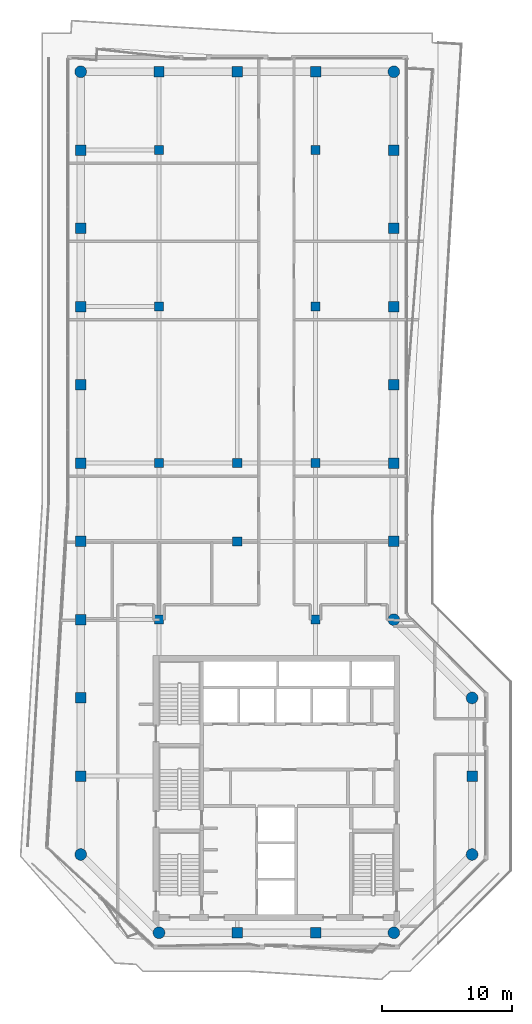
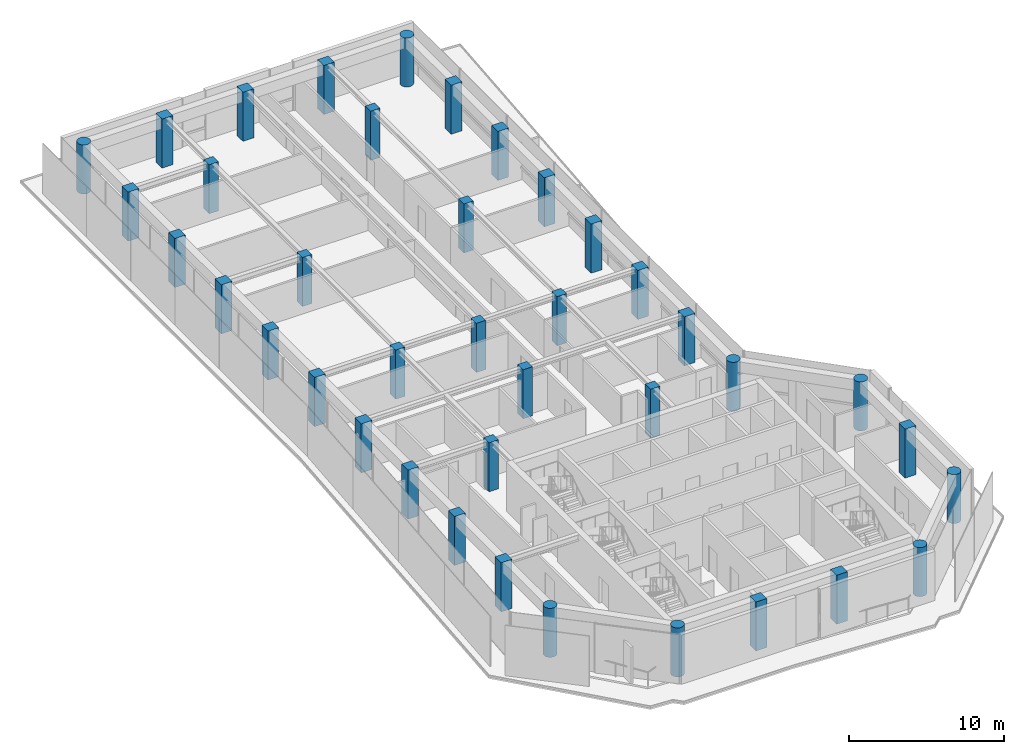
# One storey, part 1 of 19: 39 columns.
"""IFC4 building model written with IfcOpenShell, lengths in metres."""

from ifc_helpers import new_model, si_unit, direction, frame, origin, origin_2d, place, context, subcontext, project, spatial, rectangle, circle, extrude, material, material_profile, profile_set, type_object, element, save


model = new_model("IFC4")

# Units and contexts
model_context = context("Model", 3, precision=1e-05, world=origin(), true_north=direction((0.0, 1.0)))
body_context = subcontext(model_context, "Body", "Model", "MODEL_VIEW")
ifc_project = project(units=[si_unit("LENGTHUNIT", "METRE"), si_unit("AREAUNIT", "SQUARE_METRE"), si_unit("VOLUMEUNIT", "CUBIC_METRE"), si_unit("PLANEANGLEUNIT", "RADIAN"), si_unit("MASSUNIT", "GRAM", prefix="KILO")], contexts=[model_context])

# Site, building, storey
site_placement = place(None, origin())
site = spatial("IfcSite", under=ifc_project, at=site_placement, CompositionType="ELEMENT")
building_placement = place(site_placement, origin())
building = spatial("IfcBuilding", under=site, at=building_placement, Name="Welwitschia Terrace Campus", CompositionType="ELEMENT")
storey_placement = place(building_placement, frame((0.0, 0.0, 243.199951171875)))
storey = spatial("IfcBuildingStorey", under=building, at=storey_placement, Name="L54", CompositionType="ELEMENT", Elevation=243.199951171875)

# Columns
ifc_material_1 = material(Name="Concrete C50/60", Category="concrete")
ifc_material_profile_1 = material_profile(ifc_material_1, circle(Radius=0.449951171875, at=origin_2d()))
ifc_profile_set_1 = profile_set([ifc_material_profile_1], Name="Concrete C50/60")
column_type_1 = type_object("IfcColumnType", Name="Corner column 900 dia", PredefinedType="COLUMN", material=ifc_profile_set_1)
for number, where, z_axis, x_axis, name in (
    (1, (0.0, 10.0, 0.0), (0.0, 0.0, 1.0), (1.0, 0.0, 0.0), "Column C32"),
    (2, (0.0, 70.0, 0.0), (0.0, 0.0, 1.0), (1.0, 0.0, 0.0), "Column C32"),
    (3, (6.0, 4.0, 0.0), (0.0, 0.0, 1.0), (1.0, 0.0, 0.0), "Column C32"),
    (4, (24.0, 4.0, 0.0), (0.0, 0.0, 1.0), (1.0, 0.0, 0.0), "Column C32"),
    (5, (24.0, 28.0, 0.0), (0.0, 0.0, 1.0), (1.0, 0.0, 0.0), "Column C32"),
    (6, (24.0, 70.0, 0.0), (0.0, 0.0, 1.0), (1.0, 0.0, 0.0), "Column C32"),
    (7, (30.0, 10.0, 0.0), (0.0, 0.0, 1.0), (1.0, 0.0, 0.0), "Column C32"),
    (8, (30.0, 22.0, 0.0), (0.0, 0.0, 1.0), (1.0, 0.0, 0.0), "Column C32"),
):
    element("IfcColumn", number, at=place(storey_placement, frame(where, z_axis=z_axis, x_axis=x_axis)), inside=storey, type_object=column_type_1, Name=name, PredefinedType="COLUMN", context=body_context, shape_type="SweptSolid", body=[
        extrude(circle(Radius=0.449951171875, at=origin_2d()), origin(), (0.0, 0.0, 1.0), 3.85009765625),
    ])
ifc_material_2 = material(Name="Concrete C50/60", Category="concrete")
ifc_material_profile_2 = material_profile(ifc_material_2, rectangle(XDim=0.699951171875, YDim=0.699951171875, at=origin_2d()))
ifc_profile_set_2 = profile_set([ifc_material_profile_2], Name="Concrete C50/60")
column_type_2 = type_object("IfcColumnType", Name="Interior column 700x700", PredefinedType="COLUMN", material=ifc_profile_set_2)
for number, where, z_axis, x_axis, name in (
    (9, (6.0, 28.0, 0.0), (0.0, 0.0, 1.0), (1.0, 0.0, 0.0), "Column C34"),
    (10, (6.0, 40.0, 0.0), (0.0, 0.0, 1.0), (1.0, 0.0, 0.0), "Column C34"),
    (11, (6.0, 52.0, 0.0), (0.0, 0.0, 1.0), (1.0, 0.0, 0.0), "Column C34"),
    (12, (6.0, 64.0, 0.0), (0.0, 0.0, 1.0), (1.0, 0.0, 0.0), "Column C34"),
    (13, (12.0, 34.0, 0.0), (0.0, 0.0, 1.0), (1.0, 0.0, 0.0), "Column C34"),
    (14, (12.0, 40.0, 0.0), (0.0, 0.0, 1.0), (1.0, 0.0, 0.0), "Column C34"),
    (15, (18.0, 28.0, 0.0), (0.0, 0.0, 1.0), (1.0, 0.0, 0.0), "Column C34"),
    (16, (18.0, 40.0, 0.0), (0.0, 0.0, 1.0), (1.0, 0.0, 0.0), "Column C34"),
    (17, (18.0, 52.0, 0.0), (0.0, 0.0, 1.0), (1.0, 0.0, 0.0), "Column C34"),
    (18, (18.0, 64.0, 0.0), (0.0, 0.0, 1.0), (1.0, 0.0, 0.0), "Column C34"),
):
    element("IfcColumn", number, at=place(storey_placement, frame(where, z_axis=z_axis, x_axis=x_axis)), inside=storey, type_object=column_type_2, Name=name, PredefinedType="COLUMN", context=body_context, shape_type="SweptSolid", body=[
        extrude(rectangle(XDim=0.699951171875, YDim=0.699951171875, at=origin_2d()), origin(), (0.0, 0.0, 1.0), 3.85009765625),
    ])
ifc_material_3 = material(Name="Concrete C50/60", Category="concrete")
ifc_material_profile_3 = material_profile(ifc_material_3, rectangle(XDim=0.800048828125, YDim=0.800048828125, at=origin_2d()))
ifc_profile_set_3 = profile_set([ifc_material_profile_3], Name="Concrete C50/60")
column_type_3 = type_object("IfcColumnType", Name="Ring column 800x800", PredefinedType="COLUMN", material=ifc_profile_set_3)
for number, where, z_axis, x_axis, name in (
    (19, (0.0, 16.0, 0.0), (0.0, 0.0, 1.0), (1.0, 0.0, 0.0), "Column C33"),
    (20, (0.0, 22.0, 0.0), (0.0, 0.0, 1.0), (1.0, 0.0, 0.0), "Column C33"),
    (21, (0.0, 28.0, 0.0), (0.0, 0.0, 1.0), (1.0, 0.0, 0.0), "Column C33"),
    (22, (0.0, 34.0, 0.0), (0.0, 0.0, 1.0), (1.0, 0.0, 0.0), "Column C33"),
    (23, (0.0, 40.0, 0.0), (0.0, 0.0, 1.0), (1.0, 0.0, 0.0), "Column C33"),
    (24, (0.0, 46.0, 0.0), (0.0, 0.0, 1.0), (1.0, 0.0, 0.0), "Column C33"),
    (25, (0.0, 52.0, 0.0), (0.0, 0.0, 1.0), (1.0, 0.0, 0.0), "Column C33"),
    (26, (0.0, 58.0, 0.0), (0.0, 0.0, 1.0), (1.0, 0.0, 0.0), "Column C33"),
    (27, (0.0, 64.0, 0.0), (0.0, 0.0, 1.0), (1.0, 0.0, 0.0), "Column C33"),
    (28, (6.0, 70.0, 0.0), (0.0, 0.0, 1.0), (1.0, 0.0, 0.0), "Column C33"),
    (29, (12.0, 4.0, 0.0), (0.0, 0.0, 1.0), (1.0, 0.0, 0.0), "Column C33"),
    (30, (12.0, 70.0, 0.0), (0.0, 0.0, 1.0), (1.0, 0.0, 0.0), "Column C33"),
    (31, (18.0, 4.0, 0.0), (0.0, 0.0, 1.0), (1.0, 0.0, 0.0), "Column C33"),
    (32, (18.0, 70.0, 0.0), (0.0, 0.0, 1.0), (1.0, 0.0, 0.0), "Column C33"),
    (33, (24.0, 34.0, 0.0), (0.0, 0.0, 1.0), (1.0, 0.0, 0.0), "Column C33"),
    (34, (24.0, 40.0, 0.0), (0.0, 0.0, 1.0), (1.0, 0.0, 0.0), "Column C33"),
    (35, (24.0, 46.0, 0.0), (0.0, 0.0, 1.0), (1.0, 0.0, 0.0), "Column C33"),
    (36, (24.0, 52.0, 0.0), (0.0, 0.0, 1.0), (1.0, 0.0, 0.0), "Column C33"),
    (37, (24.0, 58.0, 0.0), (0.0, 0.0, 1.0), (1.0, 0.0, 0.0), "Column C33"),
    (38, (24.0, 64.0, 0.0), (0.0, 0.0, 1.0), (1.0, 0.0, 0.0), "Column C33"),
    (39, (30.0, 16.0, 0.0), (0.0, 0.0, 1.0), (1.0, 0.0, 0.0), "Column C33"),
):
    element("IfcColumn", number, at=place(storey_placement, frame(where, z_axis=z_axis, x_axis=x_axis)), inside=storey, type_object=column_type_3, Name=name, PredefinedType="COLUMN", context=body_context, shape_type="SweptSolid", body=[
        extrude(rectangle(XDim=0.800048828125, YDim=0.800048828125, at=origin_2d()), origin(), (0.0, 0.0, 1.0), 3.85009765625),
    ])

save(model, "model.ifc")
